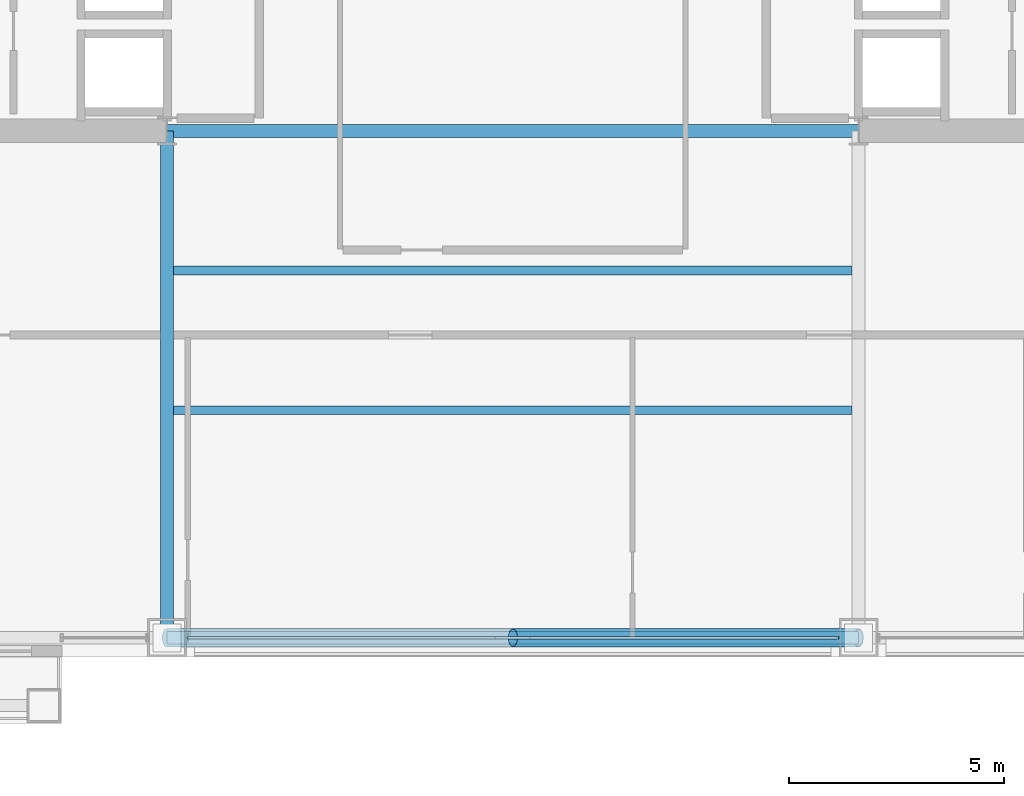
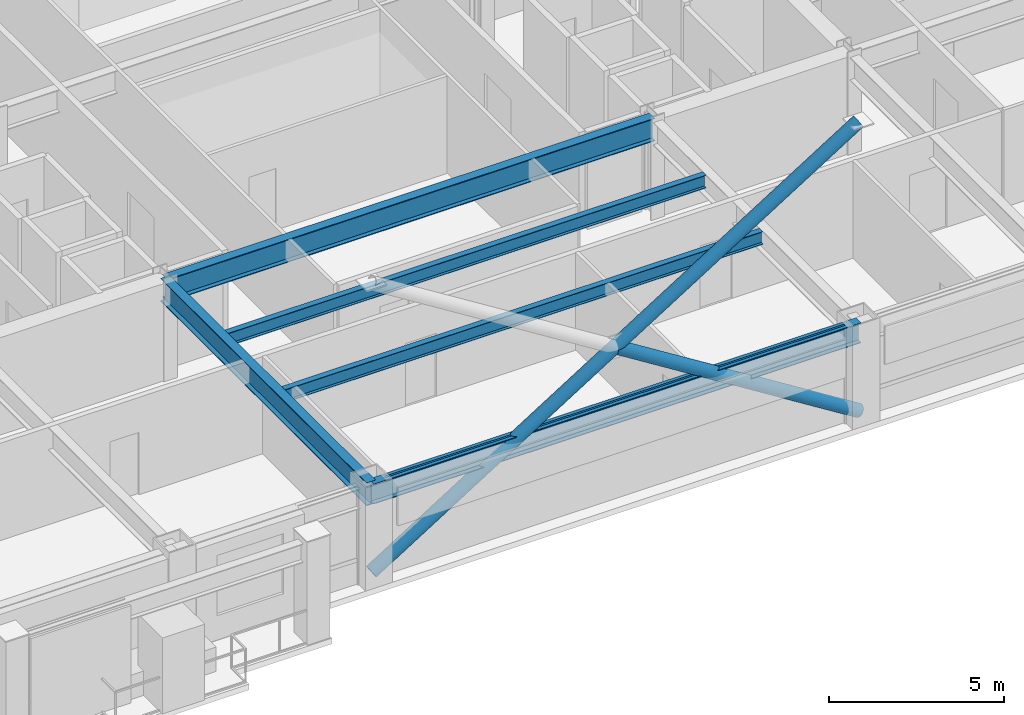
# One storey, part 5 of 30: 5 beams, 3 members, 1 element without a shape of its own.
"""IFC4 building model written with IfcOpenShell, lengths in metres."""

from ifc_helpers import new_model, si_unit, direction, frame, origin, origin_2d, place, context, subcontext, project, spatial, hollow_rectangle, hollow_circle, i_section, extrude, material, layer, layer_set, material_profile, profile_set, type_object, element, aggregate, save


model = new_model("IFC4")

# Units and contexts
model_context = context("Model", 3, precision=1e-05, world=origin(), true_north=direction((0.0, 1.0)))
body_context = subcontext(model_context, "Body", "Model", "MODEL_VIEW")
ifc_project = project(units=[si_unit("LENGTHUNIT", "METRE"), si_unit("AREAUNIT", "SQUARE_METRE"), si_unit("VOLUMEUNIT", "CUBIC_METRE"), si_unit("PLANEANGLEUNIT", "RADIAN"), si_unit("MASSUNIT", "GRAM", prefix="KILO")], contexts=[model_context])

# Site, building, storey
site_placement = place(None, origin())
site = spatial("IfcSite", under=ifc_project, at=site_placement, CompositionType="ELEMENT")
building_placement = place(site_placement, origin())
building = spatial("IfcBuilding", under=site, at=building_placement, Name="Brelmoor Portico Tower", CompositionType="ELEMENT")
storey_placement = place(building_placement, frame((0.0, 0.0, 56.39990234375)))
storey = spatial("IfcBuildingStorey", under=building, at=storey_placement, Name="L14", CompositionType="ELEMENT", Elevation=56.39990234375)

# Beams
ifc_material_1 = material(Name="Steel Q355B", Category="steel")
ifc_material_profile_1 = material_profile(ifc_material_1, i_section(OverallWidth=0.199951171875, OverallDepth=0.449951171875, WebThickness=0.009033203125, FlangeThickness=0.013916015625, at=origin_2d()), Name="HN 450x200x9x14")
ifc_profile_set_1 = profile_set([ifc_material_profile_1], Name="Steel Q355B")
beam_type_1 = type_object("IfcBeamType", Name="BM-JS-450", PredefinedType="JOIST", material=ifc_profile_set_1)
for number, where, z_axis, x_axis, name in (
    (1, (-7.89990234375, -16.25, 3.175048828125), (1.0, 0.0, 0.0), (0.0, 1.0, 0.0), "L14 Secondary Composite Joist JS-C01"),
    (2, (-7.89990234375, -13.0, 3.175048828125), (1.0, 0.0, 0.0), (0.0, 1.0, 0.0), "L14 Secondary Composite Joist JS-C02"),
):
    element("IfcBeam", number, at=place(storey_placement, frame(where, z_axis=z_axis, x_axis=x_axis)), inside=storey, type_object=beam_type_1, Name=name, PredefinedType="JOIST", context=body_context, shape_type="SweptSolid", body=[
        extrude(i_section(OverallWidth=0.199951171875, OverallDepth=0.449951171875, WebThickness=0.009033203125, FlangeThickness=0.013916015625, at=origin_2d()), origin(), (0.0, 0.0, 1.0), 15.7998046875),
    ])
ifc_material_profile_2 = material_profile(ifc_material_1, i_section(OverallWidth=0.300048828125, OverallDepth=0.800048828125, WebThickness=0.013916015625, FlangeThickness=0.02587890625, at=origin_2d()), Name="HN 800x300x14x26")
ifc_profile_set_2 = profile_set([ifc_material_profile_2], Name="Steel Q355B")
beam_type_2 = type_object("IfcBeamType", Name="BM-PG-800", PredefinedType="BEAM", material=ifc_profile_set_2)
beam_1_placement = place(storey_placement, frame((-8.050048828125, -21.550048828125, 3.0), z_axis=(0.0, 1.0, 0.0), x_axis=(-1.0, 0.0, 0.0)))
element("IfcBeam", 3, at=beam_1_placement, inside=storey, type_object=beam_type_2, Name="L14 Primary Floor Girder PG-07", PredefinedType="BEAM", context=body_context, shape_type="SweptSolid", body=[
    extrude(i_section(OverallWidth=0.300048828125, OverallDepth=0.800048828125, WebThickness=0.013916015625, FlangeThickness=0.02587890625, at=origin_2d()), origin(), (0.0, 0.0, 1.0), 11.800048828125),
])
beam_2_placement = place(storey_placement, frame((-8.050048828125, -9.75, 3.0), z_axis=(1.0, 0.0, 0.0), x_axis=(0.0, 1.0, 0.0)))
element("IfcBeam", 4, at=beam_2_placement, inside=storey, type_object=beam_type_2, Name="L14 Primary Floor Girder PG-21", PredefinedType="BEAM", context=body_context, shape_type="SweptSolid", body=[
    extrude(i_section(OverallWidth=0.300048828125, OverallDepth=0.800048828125, WebThickness=0.013916015625, FlangeThickness=0.02587890625, at=origin_2d()), origin(), (0.0, 0.0, 1.0), 16.10009765625),
])
ifc_material_profile_3 = material_profile(ifc_material_1, i_section(OverallWidth=0.300048828125, OverallDepth=0.699951171875, WebThickness=0.012939453125, FlangeThickness=0.02392578125, at=origin_2d()), Name="HN 700x300x13x24")
ifc_profile_set_3 = profile_set([ifc_material_profile_3], Name="Steel Q355B")
beam_type_3 = type_object("IfcBeamType", Name="BM-SP-700", PredefinedType="SPANDREL", material=ifc_profile_set_3)
beam_3_placement = place(storey_placement, frame((-8.050048828125, -21.550048828125, 3.050048828125), z_axis=(1.0, 0.0, 0.0), x_axis=(0.0, 1.0, 0.0)))
element("IfcBeam", 5, at=beam_3_placement, inside=storey, type_object=beam_type_3, Name="L14 Perimeter Spandrel Beam SP-03", PredefinedType="SPANDREL", context=body_context, shape_type="SweptSolid", body=[
    extrude(i_section(OverallWidth=0.300048828125, OverallDepth=0.699951171875, WebThickness=0.012939453125, FlangeThickness=0.02392578125, at=origin_2d()), origin(), (0.0, 0.0, 1.0), 16.10009765625),
])

# Members
ifc_material_profile_4 = material_profile(ifc_material_1, hollow_circle(Radius=0.212890625, WallThickness=0.02001953125, at=origin_2d()), Name="CHS 426x20")
ifc_profile_set_4 = profile_set([ifc_material_profile_4], Name="Steel Q355B")
member_type_1 = type_object("IfcMemberType", Name="MB-BELT-DIAG1", PredefinedType="BRACE", material=ifc_profile_set_4)
member_1_placement = place(storey_placement, frame((-8.050048828125, -21.550048828125, 0.25), z_axis=(0.847109476093, 0.0, 0.531418418493), x_axis=(0.0, 1.0, 0.0)))
element("IfcMember", 6, at=member_1_placement, inside=storey, type_object=member_type_1, Name="L14 Continuous Mega-X Brace 025A", PredefinedType="BRACE", context=body_context, shape_type="SweptSolid", body=[
    extrude(hollow_circle(Radius=0.212890625, WallThickness=0.02001953125, at=origin_2d()), origin(), (0.0, 0.0, 1.0), 19.005859375),
])
member_2_placement = place(storey_placement, frame((8.050048828125, -21.550048828125, 0.25), z_axis=(-0.847109476093, 0.0, 0.531418418493), x_axis=(0.0, -1.0, 0.0)))
element("IfcMember", 7, at=member_2_placement, inside=storey, type_object=member_type_1, Name="L14 Split Mega-X Brace 025B1", PredefinedType="BRACE", context=body_context, shape_type="SweptSolid", body=[
    extrude(hollow_circle(Radius=0.212890625, WallThickness=0.02001953125, at=origin_2d()), origin(), (0.0, 0.0, 1.0), 9.5029296875),
])

# Curtain wall, member
ifc_material_2 = material(Name="Anodised Aluminium Alloy 6063-T6", Category="aluminium")
ifc_layer = layer(ifc_material_2, 0.179931640625)
ifc_layer_set = layer_set([ifc_layer], Name="Anodised Aluminium Alloy 6063-T6")
curtain_wall_type = type_object("IfcCurtainWallType", Name="CW-TOWER-Z1-XB", PredefinedType="NOTDEFINED", material=ifc_layer_set)
curtain_wall_placement = place(storey_placement, origin())
curtain_wall = element("IfcCurtainWall", 8, at=curtain_wall_placement, inside=storey, type_object=curtain_wall_type, Name="L14 Curtain Wall CW-L14-1R-2", PredefinedType="NOTDEFINED")
ifc_material_profile_5 = material_profile(ifc_material_2, hollow_rectangle(XDim=0.06494140625, YDim=0.139892578125, WallThickness=0.00390625, at=origin_2d()), Name="ALU TRANSOM 65x140")
ifc_profile_set_5 = profile_set([ifc_material_profile_5], Name="Anodised Aluminium Alloy 6063-T6")
member_type_2 = type_object("IfcMemberType", Name="MB-CW-TRAN-140", PredefinedType="USERDEFINED", material=ifc_profile_set_5)
member_3_placement = place(storey_placement, frame((-7.590087890625, -21.550048828125, 3.330078125), z_axis=(1.0, 0.0, 0.0), x_axis=(0.0, 1.0, 0.0)))
member_3 = element("IfcMember", 9, at=member_3_placement, type_object=member_type_2, Name="CW-L14-1R-2 Transom 1-00", ObjectType="TRANSOM", PredefinedType="USERDEFINED", context=body_context, shape_type="SweptSolid", body=[
    extrude(hollow_rectangle(XDim=0.06494140625, YDim=0.139892578125, WallThickness=0.00390625, at=origin_2d()), origin(), (0.0, 0.0, 1.0), 15.18017578125),
])
aggregate(curtain_wall, [member_3])

save(model, "model.ifc")
